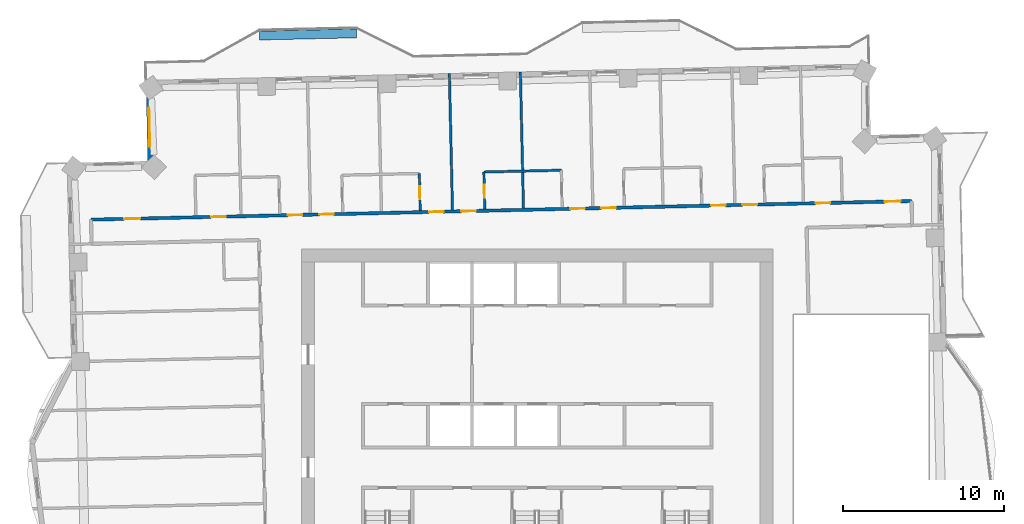
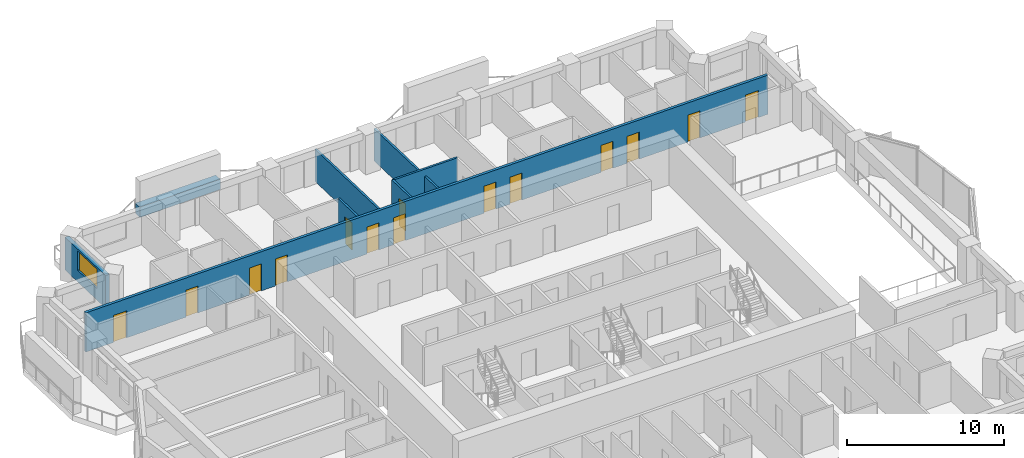
# One storey, part 11 of 17: 14 doors, 8 walls, 1 window, 15 openings.
"""IFC4 building model written with IfcOpenShell, lengths in metres."""

from ifc_helpers import new_model, si_unit, direction, frame, frame_2d, origin, place, context, subcontext, project, spatial, rectangle, extrude, material, layer, layer_set, type_object, element, fill, save


model = new_model("IFC4")

# Units and contexts
model_context = context("Model", 3, precision=1e-05, world=origin(), true_north=direction((0.0, 1.0)))
body_context = subcontext(model_context, "Body", "Model", "MODEL_VIEW")
ifc_project = project(units=[si_unit("LENGTHUNIT", "METRE"), si_unit("AREAUNIT", "SQUARE_METRE"), si_unit("VOLUMEUNIT", "CUBIC_METRE"), si_unit("PLANEANGLEUNIT", "RADIAN"), si_unit("MASSUNIT", "GRAM", prefix="KILO")], contexts=[model_context])

# Site, building, storey
site_placement = place(None, origin())
site = spatial("IfcSite", under=ifc_project, at=site_placement, CompositionType="ELEMENT")
building_placement = place(site_placement, origin())
building = spatial("IfcBuilding", under=site, at=building_placement, Name="Mangrove Gate Tower", CompositionType="ELEMENT")
storey_placement = place(building_placement, frame((0.0, 0.0, 238.300048828125)))
storey = spatial("IfcBuildingStorey", under=building, at=storey_placement, Name="L60", CompositionType="ELEMENT", Elevation=238.300048828125)

# Wall, openings, doors
ifc_material_1 = material(Name="Gypsum board on steel stud, EI 60", Category="steel")
ifc_layer_1 = layer(ifc_material_1, 0.199951171875)
ifc_layer_set_1 = layer_set([ifc_layer_1], Name="Corridor wall EI 60")
wall_type_1 = type_object("IfcWallType", Name="Corridor wall EI 60", PredefinedType="PARTITIONING", material=ifc_layer_set_1)
wall_1_placement = place(storey_placement, frame((-27.652099609375, 13.4130859375, 0.0), z_axis=(0.0, 0.0, 1.0), x_axis=(0.999742610679, 0.022687273792, 0.0)))
wall_1 = element("IfcWall", 1, at=wall_1_placement, inside=storey, type_object=wall_type_1, Name="WALL-L60-053", PredefinedType="PARTITIONING", context=body_context, shape_type="SweptSolid", body=[
    extrude(rectangle(XDim=50.857177734375, YDim=0.199951171875, at=frame_2d((25.4287109375, 0.0))), origin(), (0.0, 0.0, 1.0), 3.050048828125),
])
opening_1_placement = place(wall_1_placement, frame((49.178955078125, 0.0, 0.0)))
opening_1 = element("IfcOpeningElement", 2, at=opening_1_placement, cuts=wall_1, Name="Opening AD", PredefinedType="OPENING", context=body_context, shape_type="SweptSolid", body=[
    extrude(rectangle(XDim=1.0, YDim=2.10009765625, at=frame_2d((0.5, 1.050048828125))), frame((0.0, 0.10986328125, 0.0), z_axis=(0.0, -1.0, 0.0), x_axis=(1.0, 0.0, 0.0)), (0.0, 0.0, 1.0), 0.219970703125),
])
opening_2_placement = place(wall_1_placement, frame((44.89990234375, 0.0, 0.0)))
opening_2 = element("IfcOpeningElement", 3, at=opening_2_placement, cuts=wall_1, Name="Opening SD", PredefinedType="OPENING", context=body_context, shape_type="SweptSolid", body=[
    extrude(rectangle(XDim=0.89990234375, YDim=2.10009765625, at=frame_2d((0.449951171875, 1.050048828125))), frame((0.0, 0.10986328125, 0.0), z_axis=(0.0, -1.0, 0.0), x_axis=(1.0, 0.0, 0.0)), (0.0, 0.0, 1.0), 0.219970703125),
])
opening_3_placement = place(wall_1_placement, frame((40.375, 0.0, 0.0)))
opening_3 = element("IfcOpeningElement", 4, at=opening_3_placement, cuts=wall_1, Name="Opening BD", PredefinedType="OPENING", context=body_context, shape_type="SweptSolid", body=[
    extrude(rectangle(XDim=0.89990234375, YDim=2.10009765625, at=frame_2d((0.449951171875, 1.050048828125))), frame((0.0, 0.10986328125, 0.0), z_axis=(0.0, -1.0, 0.0), x_axis=(1.0, 0.0, 0.0)), (0.0, 0.0, 1.0), 0.219970703125),
])
opening_4_placement = place(wall_1_placement, frame((38.425048828125, 0.0, 0.0)))
opening_4 = element("IfcOpeningElement", 5, at=opening_4_placement, cuts=wall_1, Name="Opening BD", PredefinedType="OPENING", context=body_context, shape_type="SweptSolid", body=[
    extrude(rectangle(XDim=0.89990234375, YDim=2.10009765625, at=frame_2d((0.449951171875, 1.050048828125))), frame((0.0, 0.10986328125, 0.0), z_axis=(0.0, -1.0, 0.0), x_axis=(1.0, 0.0, 0.0)), (0.0, 0.0, 1.0), 0.219970703125),
])
opening_5_placement = place(wall_1_placement, frame((31.625, 0.0, 0.0)))
opening_5 = element("IfcOpeningElement", 6, at=opening_5_placement, cuts=wall_1, Name="Opening BD", PredefinedType="OPENING", context=body_context, shape_type="SweptSolid", body=[
    extrude(rectangle(XDim=0.89990234375, YDim=2.10009765625, at=frame_2d((0.449951171875, 1.050048828125))), frame((0.0, 0.10986328125, 0.0), z_axis=(0.0, -1.0, 0.0), x_axis=(1.0, 0.0, 0.0)), (0.0, 0.0, 1.0), 0.219970703125),
])
opening_6_placement = place(wall_1_placement, frame((29.699951171875, 0.0, 0.0)))
opening_6 = element("IfcOpeningElement", 7, at=opening_6_placement, cuts=wall_1, Name="Opening BD", PredefinedType="OPENING", context=body_context, shape_type="SweptSolid", body=[
    extrude(rectangle(XDim=0.89990234375, YDim=2.10009765625, at=frame_2d((0.449951171875, 1.050048828125))), frame((0.0, 0.10986328125, 0.0), z_axis=(0.0, -1.0, 0.0), x_axis=(1.0, 0.0, 0.0)), (0.0, 0.0, 1.0), 0.219970703125),
])
opening_7_placement = place(wall_1_placement, frame((22.949951171875, 0.0, 0.0)))
opening_7 = element("IfcOpeningElement", 8, at=opening_7_placement, cuts=wall_1, Name="Opening BD", PredefinedType="OPENING", context=body_context, shape_type="SweptSolid", body=[
    extrude(rectangle(XDim=0.89990234375, YDim=2.10009765625, at=frame_2d((0.449951171875, 1.050048828125))), frame((0.0, 0.10986328125, 0.0), z_axis=(0.0, -1.0, 0.0), x_axis=(1.0, 0.0, 0.0)), (0.0, 0.0, 1.0), 0.219970703125),
])
opening_8_placement = place(wall_1_placement, frame((20.949951171875, 0.0, 0.0)))
opening_8 = element("IfcOpeningElement", 9, at=opening_8_placement, cuts=wall_1, Name="Opening BD", PredefinedType="OPENING", context=body_context, shape_type="SweptSolid", body=[
    extrude(rectangle(XDim=0.89990234375, YDim=2.10009765625, at=frame_2d((0.449951171875, 1.050048828125))), frame((0.0, 0.10986328125, 0.0), z_axis=(0.0, -1.0, 0.0), x_axis=(1.0, 0.0, 0.0)), (0.0, 0.0, 1.0), 0.219970703125),
])
opening_9_placement = place(wall_1_placement, frame((14.14990234375, 0.0, 0.0)))
opening_9 = element("IfcOpeningElement", 10, at=opening_9_placement, cuts=wall_1, Name="Opening BD", PredefinedType="OPENING", context=body_context, shape_type="SweptSolid", body=[
    extrude(rectangle(XDim=0.89990234375, YDim=2.10009765625, at=frame_2d((0.449951171875, 1.050048828125))), frame((0.0, 0.10986328125, 0.0), z_axis=(0.0, -1.0, 0.0), x_axis=(1.0, 0.0, 0.0)), (0.0, 0.0, 1.0), 0.219970703125),
])
opening_10_placement = place(wall_1_placement, frame((12.199951171875, 0.0, 0.0)))
opening_10 = element("IfcOpeningElement", 11, at=opening_10_placement, cuts=wall_1, Name="Opening BD", PredefinedType="OPENING", context=body_context, shape_type="SweptSolid", body=[
    extrude(rectangle(XDim=0.89990234375, YDim=2.10009765625, at=frame_2d((0.449951171875, 1.050048828125))), frame((0.0, 0.10986328125, 0.0), z_axis=(0.0, -1.0, 0.0), x_axis=(1.0, 0.0, 0.0)), (0.0, 0.0, 1.0), 0.219970703125),
])
opening_11_placement = place(wall_1_placement, frame((2.050048828125, 0.0, 0.0)))
opening_11 = element("IfcOpeningElement", 12, at=opening_11_placement, cuts=wall_1, Name="Opening AD", PredefinedType="OPENING", context=body_context, shape_type="SweptSolid", body=[
    extrude(rectangle(XDim=1.0, YDim=2.10009765625, at=frame_2d((0.5, 1.050048828125))), frame((0.0, 0.10986328125, 0.0), z_axis=(0.0, -1.0, 0.0), x_axis=(1.0, 0.0, 0.0)), (0.0, 0.0, 1.0), 0.219970703125),
])
opening_12_placement = place(wall_1_placement, frame((7.449951171875, 0.0, 0.0)))
opening_12 = element("IfcOpeningElement", 13, at=opening_12_placement, cuts=wall_1, Name="Opening SD", PredefinedType="OPENING", context=body_context, shape_type="SweptSolid", body=[
    extrude(rectangle(XDim=0.89990234375, YDim=2.10009765625, at=frame_2d((0.449951171875, 1.050048828125))), frame((0.0, 0.10986328125, 0.0), z_axis=(0.0, -1.0, 0.0), x_axis=(1.0, 0.0, 0.0)), (0.0, 0.0, 1.0), 0.219970703125),
])
ifc_material_2 = material(Name="Timber door leaf", Category="wood")
door_type_1 = type_object("IfcDoorType", Name="Amenity door 1000", OperationType="SINGLE_SWING_LEFT", PredefinedType="DOOR", material=ifc_material_2)
door_1_placement = place(opening_1_placement, origin())
door_1 = element("IfcDoor", 14, at=door_1_placement, inside=storey, type_object=door_type_1, Name="DOOR-L60-STU-c3c", OperationType="SINGLE_SWING_LEFT", OverallHeight=2.10009765625, OverallWidth=1.0, PredefinedType="DOOR", context=body_context, shape_type="SweptSolid", body=[
    extrude(rectangle(XDim=1.0, YDim=2.10009765625, at=frame_2d((0.5, 1.050048828125))), frame((0.0, 0.02490234375, 0.0), z_axis=(0.0, -1.0, 0.0), x_axis=(1.0, 0.0, 0.0)), (0.0, 0.0, 1.0), 0.050048828125),
])
fill(opening_1, door_1)
door_2_placement = place(opening_11_placement, origin())
door_2 = element("IfcDoor", 15, at=door_2_placement, inside=storey, type_object=door_type_1, Name="DOOR-L60-LNG-c5a", OperationType="SINGLE_SWING_RIGHT", OverallHeight=2.10009765625, OverallWidth=1.0, PredefinedType="DOOR", context=body_context, shape_type="SweptSolid", body=[
    extrude(rectangle(XDim=1.0, YDim=2.10009765625, at=frame_2d((0.5, 1.050048828125))), frame((0.0, 0.02490234375, 0.0), z_axis=(0.0, -1.0, 0.0), x_axis=(1.0, 0.0, 0.0)), (0.0, 0.0, 1.0), 0.050048828125),
])
fill(opening_11, door_2)
ifc_material_3 = material(Name="Timber door leaf", Category="wood")
door_type_2 = type_object("IfcDoorType", Name="Bedroom door 900", OperationType="SINGLE_SWING_LEFT", PredefinedType="DOOR", material=ifc_material_3)
door_3_placement = place(opening_3_placement, origin())
door_3 = element("IfcDoor", 16, at=door_3_placement, inside=storey, type_object=door_type_2, Name="DOOR-L60-BED-c309", OperationType="SINGLE_SWING_LEFT", OverallHeight=2.10009765625, OverallWidth=0.89990234375, PredefinedType="DOOR", context=body_context, shape_type="SweptSolid", body=[
    extrude(rectangle(XDim=0.89990234375, YDim=2.10009765625, at=frame_2d((0.449951171875, 1.050048828125))), frame((0.0, 0.02490234375, 0.0), z_axis=(0.0, -1.0, 0.0), x_axis=(1.0, 0.0, 0.0)), (0.0, 0.0, 1.0), 0.050048828125),
])
fill(opening_3, door_3)
door_4_placement = place(opening_4_placement, origin())
door_4 = element("IfcDoor", 17, at=door_4_placement, inside=storey, type_object=door_type_2, Name="DOOR-L60-BED-c310", OperationType="SINGLE_SWING_RIGHT", OverallHeight=2.10009765625, OverallWidth=0.89990234375, PredefinedType="DOOR", context=body_context, shape_type="SweptSolid", body=[
    extrude(rectangle(XDim=0.89990234375, YDim=2.10009765625, at=frame_2d((0.449951171875, 1.050048828125))), frame((0.0, 0.02490234375, 0.0), z_axis=(0.0, -1.0, 0.0), x_axis=(1.0, 0.0, 0.0)), (0.0, 0.0, 1.0), 0.050048828125),
])
fill(opening_4, door_4)
door_5_placement = place(opening_5_placement, origin())
door_5 = element("IfcDoor", 18, at=door_5_placement, inside=storey, type_object=door_type_2, Name="DOOR-L60-BED-c411", OperationType="SINGLE_SWING_LEFT", OverallHeight=2.10009765625, OverallWidth=0.89990234375, PredefinedType="DOOR", context=body_context, shape_type="SweptSolid", body=[
    extrude(rectangle(XDim=0.89990234375, YDim=2.10009765625, at=frame_2d((0.449951171875, 1.050048828125))), frame((0.0, 0.02490234375, 0.0), z_axis=(0.0, -1.0, 0.0), x_axis=(1.0, 0.0, 0.0)), (0.0, 0.0, 1.0), 0.050048828125),
])
fill(opening_5, door_5)
door_6_placement = place(opening_6_placement, origin())
door_6 = element("IfcDoor", 19, at=door_6_placement, inside=storey, type_object=door_type_2, Name="DOOR-L60-BED-c412", OperationType="SINGLE_SWING_RIGHT", OverallHeight=2.10009765625, OverallWidth=0.89990234375, PredefinedType="DOOR", context=body_context, shape_type="SweptSolid", body=[
    extrude(rectangle(XDim=0.89990234375, YDim=2.10009765625, at=frame_2d((0.449951171875, 1.050048828125))), frame((0.0, 0.02490234375, 0.0), z_axis=(0.0, -1.0, 0.0), x_axis=(1.0, 0.0, 0.0)), (0.0, 0.0, 1.0), 0.050048828125),
])
fill(opening_6, door_6)
door_7_placement = place(opening_7_placement, origin())
door_7 = element("IfcDoor", 20, at=door_7_placement, inside=storey, type_object=door_type_2, Name="DOOR-L60-BED-c413", OperationType="SINGLE_SWING_LEFT", OverallHeight=2.10009765625, OverallWidth=0.89990234375, PredefinedType="DOOR", context=body_context, shape_type="SweptSolid", body=[
    extrude(rectangle(XDim=0.89990234375, YDim=2.10009765625, at=frame_2d((0.449951171875, 1.050048828125))), frame((0.0, 0.02490234375, 0.0), z_axis=(0.0, -1.0, 0.0), x_axis=(1.0, 0.0, 0.0)), (0.0, 0.0, 1.0), 0.050048828125),
])
fill(opening_7, door_7)
door_8_placement = place(opening_8_placement, origin())
door_8 = element("IfcDoor", 21, at=door_8_placement, inside=storey, type_object=door_type_2, Name="DOOR-L60-BED-c514", OperationType="SINGLE_SWING_RIGHT", OverallHeight=2.10009765625, OverallWidth=0.89990234375, PredefinedType="DOOR", context=body_context, shape_type="SweptSolid", body=[
    extrude(rectangle(XDim=0.89990234375, YDim=2.10009765625, at=frame_2d((0.449951171875, 1.050048828125))), frame((0.0, 0.02490234375, 0.0), z_axis=(0.0, -1.0, 0.0), x_axis=(1.0, 0.0, 0.0)), (0.0, 0.0, 1.0), 0.050048828125),
])
fill(opening_8, door_8)
door_9_placement = place(opening_9_placement, origin())
door_9 = element("IfcDoor", 22, at=door_9_placement, inside=storey, type_object=door_type_2, Name="DOOR-L60-BED-c515", OperationType="SINGLE_SWING_LEFT", OverallHeight=2.10009765625, OverallWidth=0.89990234375, PredefinedType="DOOR", context=body_context, shape_type="SweptSolid", body=[
    extrude(rectangle(XDim=0.89990234375, YDim=2.10009765625, at=frame_2d((0.449951171875, 1.050048828125))), frame((0.0, 0.02490234375, 0.0), z_axis=(0.0, -1.0, 0.0), x_axis=(1.0, 0.0, 0.0)), (0.0, 0.0, 1.0), 0.050048828125),
])
fill(opening_9, door_9)
door_10_placement = place(opening_10_placement, origin())
door_10 = element("IfcDoor", 23, at=door_10_placement, inside=storey, type_object=door_type_2, Name="DOOR-L60-BED-c516", OperationType="SINGLE_SWING_RIGHT", OverallHeight=2.10009765625, OverallWidth=0.89990234375, PredefinedType="DOOR", context=body_context, shape_type="SweptSolid", body=[
    extrude(rectangle(XDim=0.89990234375, YDim=2.10009765625, at=frame_2d((0.449951171875, 1.050048828125))), frame((0.0, 0.02490234375, 0.0), z_axis=(0.0, -1.0, 0.0), x_axis=(1.0, 0.0, 0.0)), (0.0, 0.0, 1.0), 0.050048828125),
])
fill(opening_10, door_10)
ifc_material_4 = material(Name="Timber door leaf", Category="wood")
door_type_3 = type_object("IfcDoorType", Name="Service room door 900", OperationType="SINGLE_SWING_LEFT", PredefinedType="DOOR", material=ifc_material_4)
door_11_placement = place(opening_2_placement, origin())
door_11 = element("IfcDoor", 24, at=door_11_placement, inside=storey, type_object=door_type_3, Name="DOOR-L60-WC-c3a", OperationType="SINGLE_SWING_RIGHT", OverallHeight=2.10009765625, OverallWidth=0.89990234375, PredefinedType="DOOR", context=body_context, shape_type="SweptSolid", body=[
    extrude(rectangle(XDim=0.89990234375, YDim=2.10009765625, at=frame_2d((0.449951171875, 1.050048828125))), frame((0.0, 0.02490234375, 0.0), z_axis=(0.0, -1.0, 0.0), x_axis=(1.0, 0.0, 0.0)), (0.0, 0.0, 1.0), 0.050048828125),
])
fill(opening_2, door_11)
door_12_placement = place(opening_12_placement, origin())
door_12 = element("IfcDoor", 25, at=door_12_placement, inside=storey, type_object=door_type_3, Name="DOOR-L60-LDY-c5a", OperationType="SINGLE_SWING_LEFT", OverallHeight=2.10009765625, OverallWidth=0.89990234375, PredefinedType="DOOR", context=body_context, shape_type="SweptSolid", body=[
    extrude(rectangle(XDim=0.89990234375, YDim=2.10009765625, at=frame_2d((0.449951171875, 1.050048828125))), frame((0.0, 0.02490234375, 0.0), z_axis=(0.0, -1.0, 0.0), x_axis=(1.0, 0.0, 0.0)), (0.0, 0.0, 1.0), 0.050048828125),
])
fill(opening_12, door_12)

# Wall, opening, window
ifc_material_5 = material(Name="Limestone", Category="masonry")
ifc_layer_2 = layer(ifc_material_5, 0.0400390625, Name="Limestone cladding")
ifc_material_6 = material(Name="Ventilated air gap")
ifc_layer_3 = layer(ifc_material_6, 0.0400390625, Name="Ventilated cavity")
ifc_material_7 = material(Name="Mineral wool insulation")
ifc_layer_4 = layer(ifc_material_7, 0.06005859375, Name="Insulation")
ifc_material_8 = material(Name="Breather membrane")
ifc_layer_5 = layer(ifc_material_8, 0.001953125, Name="Breather membrane")
ifc_material_9 = material(Name="Concrete C20/25 blockwork", Category="masonry")
ifc_layer_6 = layer(ifc_material_9, 0.14990234375, Name="Blockwork backing wall")
ifc_material_10 = material(Name="Gypsum plaster")
ifc_layer_7 = layer(ifc_material_10, 0.008056640625, Name="Internal plaster")
ifc_layer_set_2 = layer_set([ifc_layer_2, ifc_layer_3, ifc_layer_4, ifc_layer_5, ifc_layer_6, ifc_layer_7], Name="External wall 300 limestone cladding")
wall_type_2 = type_object("IfcWallType", Name="External wall 300 limestone cladding", PredefinedType="SOLIDWALL", material=ifc_layer_set_2)
wall_2_placement = place(storey_placement, frame((-24.093994140625, 21.89599609375, 0.0), z_axis=(0.0, 0.0, 1.0), x_axis=(0.022606059803, -0.999744450377, 0.0)))
wall_2 = element("IfcWall", 26, at=wall_2_placement, inside=storey, type_object=wall_type_2, Name="WALL-L60-W6", PredefinedType="SOLIDWALL", context=body_context, shape_type="SweptSolid", body=[
    extrude(rectangle(XDim=5.000244140625, YDim=0.300048828125, at=frame_2d((2.5, 0.0))), origin(), (0.0, 0.0, 1.0), 2.550048828125),
])
opening_13_placement = place(wall_2_placement, frame((1.56591796875, 0.0, 0.89990234375)))
opening_13 = element("IfcOpeningElement", 27, at=opening_13_placement, cuts=wall_2, Name="Opening W2", PredefinedType="OPENING", context=body_context, shape_type="SweptSolid", body=[
    extrude(rectangle(XDim=2.39990234375, YDim=1.5, at=frame_2d((1.199951171875, 0.75))), frame((0.0, 0.159912109375, 0.0), z_axis=(0.0, -1.0, 0.0), x_axis=(1.0, 0.0, 0.0)), (0.0, 0.0, 1.0), 0.320068359375),
])
ifc_material_11 = material(Name="Aluminium frame with double-glazed low-e glass", Category="aluminium")
window_type = type_object("IfcWindowType", Name="Corner room window 2400x1500", PartitioningType="DOUBLE_PANEL_VERTICAL", PredefinedType="WINDOW", material=ifc_material_11)
window_placement = place(opening_13_placement, origin())
window = element("IfcWindow", 28, at=window_placement, inside=storey, type_object=window_type, Name="WIN-L60-W6-1", OverallHeight=1.5, OverallWidth=2.39990234375, PartitioningType="DOUBLE_PANEL_VERTICAL", PredefinedType="WINDOW", context=body_context, shape_type="SweptSolid", body=[
    extrude(rectangle(XDim=2.39990234375, YDim=1.5, at=frame_2d((1.199951171875, 0.75))), frame((0.0, 0.030029296875, 0.0), z_axis=(0.0, -1.0, 0.0), x_axis=(1.0, 0.0, 0.0)), (0.0, 0.0, 1.0), 0.06005859375),
])
fill(opening_13, window)

# Wall, opening, door
ifc_material_12 = material(Name="Gypsum board on steel stud, EI 60", Category="steel")
ifc_layer_8 = layer(ifc_material_12, 0.14990234375)
ifc_layer_set_3 = layer_set([ifc_layer_8], Name="Party wall 150 EI 60")
wall_type_3 = type_object("IfcWallType", Name="Party wall 150 EI 60", PredefinedType="PARTITIONING", material=ifc_layer_set_3)
wall_3_placement = place(storey_placement, frame((-7.256103515625, 13.97607421875, 0.0), z_axis=(0.0, 0.0, 1.0), x_axis=(-0.022615284993, 0.999744241736, 0.0)))
wall_3 = element("IfcWall", 29, at=wall_3_placement, inside=storey, type_object=wall_type_3, Name="WALL-L60-060", PredefinedType="PARTITIONING", context=body_context, shape_type="SweptSolid", body=[
    extrude(rectangle(XDim=2.29931640625, YDim=0.14990234375, at=frame_2d((1.149658203125, 0.0))), origin(), (0.0, 0.0, 1.0), 3.050048828125),
])
opening_14_placement = place(wall_3_placement, frame((0.699951171875, 0.0, 0.0)))
opening_14 = element("IfcOpeningElement", 30, at=opening_14_placement, cuts=wall_3, Name="Opening ED", PredefinedType="OPENING", context=body_context, shape_type="SweptSolid", body=[
    extrude(rectangle(XDim=0.800048828125, YDim=2.10009765625, at=frame_2d((0.39990234375, 1.050048828125))), frame((0.0, 0.0849609375, 0.0), z_axis=(0.0, -1.0, 0.0), x_axis=(1.0, 0.0, 0.0)), (0.0, 0.0, 1.0), 0.169921875),
])
ifc_material_13 = material(Name="Timber door leaf", Category="wood")
door_type_4 = type_object("IfcDoorType", Name="En-suite door 800", OperationType="SINGLE_SWING_LEFT", PredefinedType="DOOR", material=ifc_material_13)
door_13_placement = place(opening_14_placement, origin())
door_13 = element("IfcDoor", 31, at=door_13_placement, inside=storey, type_object=door_type_4, Name="DOOR-L60-ENS-c514", OperationType="SINGLE_SWING_RIGHT", OverallHeight=2.10009765625, OverallWidth=0.800048828125, PredefinedType="DOOR", context=body_context, shape_type="SweptSolid", body=[
    extrude(rectangle(XDim=0.800048828125, YDim=2.10009765625, at=frame_2d((0.39990234375, 1.050048828125))), frame((0.0, 0.02490234375, 0.0), z_axis=(0.0, -1.0, 0.0), x_axis=(1.0, 0.0, 0.0)), (0.0, 0.0, 1.0), 0.050048828125),
])
fill(opening_14, door_13)

# Wall
wall_4_placement = place(storey_placement, frame((-5.256103515625, 14.02099609375, 0.0), z_axis=(0.0, 0.0, 1.0), x_axis=(-0.022708935798, 0.999742118866, 0.0)))
element("IfcWall", 32, at=wall_4_placement, inside=storey, type_object=wall_type_3, Name="WALL-L60-061", PredefinedType="PARTITIONING", context=body_context, shape_type="SweptSolid", body=[
    extrude(rectangle(XDim=8.4501953125, YDim=0.14990234375, at=frame_2d((4.22509765625, 0.0))), origin(), (0.0, 0.0, 1.0), 2.5),
])

# Wall, opening, door
wall_5_placement = place(storey_placement, frame((-3.257080078125, 14.06591796875, 0.0), z_axis=(0.0, 0.0, 1.0), x_axis=(-0.022603288534, 0.999744513037, 0.0)))
wall_5 = element("IfcWall", 33, at=wall_5_placement, inside=storey, type_object=wall_type_3, Name="WALL-L60-062", PredefinedType="PARTITIONING", context=body_context, shape_type="SweptSolid", body=[
    extrude(rectangle(XDim=2.300537109375, YDim=0.14990234375, at=frame_2d((1.150390625, 0.0))), origin(), (0.0, 0.0, 1.0), 3.050048828125),
])
opening_15_placement = place(wall_5_placement, frame((0.699951171875, 0.0, 0.0)))
opening_15 = element("IfcOpeningElement", 34, at=opening_15_placement, cuts=wall_5, Name="Opening ED", PredefinedType="OPENING", context=body_context, shape_type="SweptSolid", body=[
    extrude(rectangle(XDim=0.800048828125, YDim=2.10009765625, at=frame_2d((0.39990234375, 1.050048828125))), frame((0.0, 0.0849609375, 0.0), z_axis=(0.0, -1.0, 0.0), x_axis=(1.0, 0.0, 0.0)), (0.0, 0.0, 1.0), 0.169921875),
])
door_14_placement = place(opening_15_placement, origin())
door_14 = element("IfcDoor", 35, at=door_14_placement, inside=storey, type_object=door_type_4, Name="DOOR-L60-ENS-c413", OperationType="SINGLE_SWING_LEFT", OverallHeight=2.10009765625, OverallWidth=0.800048828125, PredefinedType="DOOR", context=body_context, shape_type="SweptSolid", body=[
    extrude(rectangle(XDim=0.800048828125, YDim=2.10009765625, at=frame_2d((0.39990234375, 1.050048828125))), frame((0.0, 0.02490234375, 0.0), z_axis=(0.0, -1.0, 0.0), x_axis=(1.0, 0.0, 0.0)), (0.0, 0.0, 1.0), 0.050048828125),
])
fill(opening_15, door_14)

# Walls
wall_6_placement = place(storey_placement, frame((-0.85791015625, 14.12109375, 0.0), z_axis=(0.0, 0.0, 1.0), x_axis=(-0.022622304913, 0.999744082913, 0.0)))
element("IfcWall", 36, at=wall_6_placement, inside=storey, type_object=wall_type_3, Name="WALL-L60-063", PredefinedType="PARTITIONING", context=body_context, shape_type="SweptSolid", body=[
    extrude(rectangle(XDim=8.4501953125, YDim=0.14990234375, at=frame_2d((4.22509765625, 0.0))), origin(), (0.0, 0.0, 1.0), 2.5),
])
wall_7_placement = place(storey_placement, frame((-3.31298828125, 16.365966796875, 0.0), z_axis=(0.0, 0.0, 1.0), x_axis=(0.99974154664, 0.022734113616, 0.0)))
element("IfcWall", 37, at=wall_7_placement, inside=storey, type_object=wall_type_3, Name="WALL-L60-075", PredefinedType="PARTITIONING", context=body_context, shape_type="SweptSolid", body=[
    extrude(rectangle(XDim=4.80029296875, YDim=0.14990234375, at=frame_2d((2.400146484375, 0.0))), origin(), (0.0, 0.0, 1.0), 3.050048828125),
])
ifc_material_14 = material(Name="Concrete C32/40", Category="concrete")
ifc_layer_9 = layer(ifc_material_14, 0.199951171875, Name="Planter trough wall")
ifc_material_15 = material(Name="Bituminous waterproofing membrane")
ifc_layer_10 = layer(ifc_material_15, 0.0048828125, Name="Waterproofing")
ifc_material_16 = material(Name="Drainage board and gravel")
ifc_layer_11 = layer(ifc_material_16, 0.044921875, Name="Drainage layer")
ifc_material_17 = material(Name="Planting soil")
ifc_layer_12 = layer(ifc_material_17, 0.300048828125, Name="Growing medium")
ifc_layer_set_4 = layer_set([ifc_layer_9, ifc_layer_10, ifc_layer_11, ifc_layer_12], Name="Planter wall 550 C32/40")
wall_type_4 = type_object("IfcWallType", Name="Planter wall 550 C32/40", PredefinedType="USERDEFINED", material=ifc_layer_set_4)
wall_8_placement = place(storey_placement, frame((-17.205078125, 24.818115234375, 0.0), z_axis=(0.0, 0.0, 1.0), x_axis=(0.999743178102, 0.022662255828, 0.0)))
element("IfcWall", 38, at=wall_8_placement, inside=storey, type_object=wall_type_4, Name="PLANTER L60 N1.1", ObjectType="PLANTER", PredefinedType="USERDEFINED", context=body_context, shape_type="SweptSolid", body=[
    extrude(rectangle(XDim=6.00048828125, YDim=0.550048828125, at=frame_2d((3.000244140625, 0.0))), origin(), (0.0, 0.0, 1.0), 0.800048828125),
])

save(model, "model.ifc")
